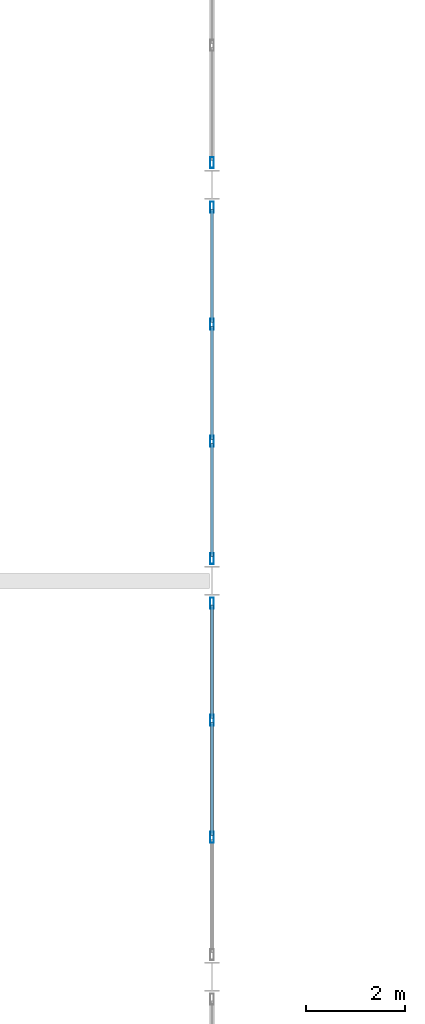
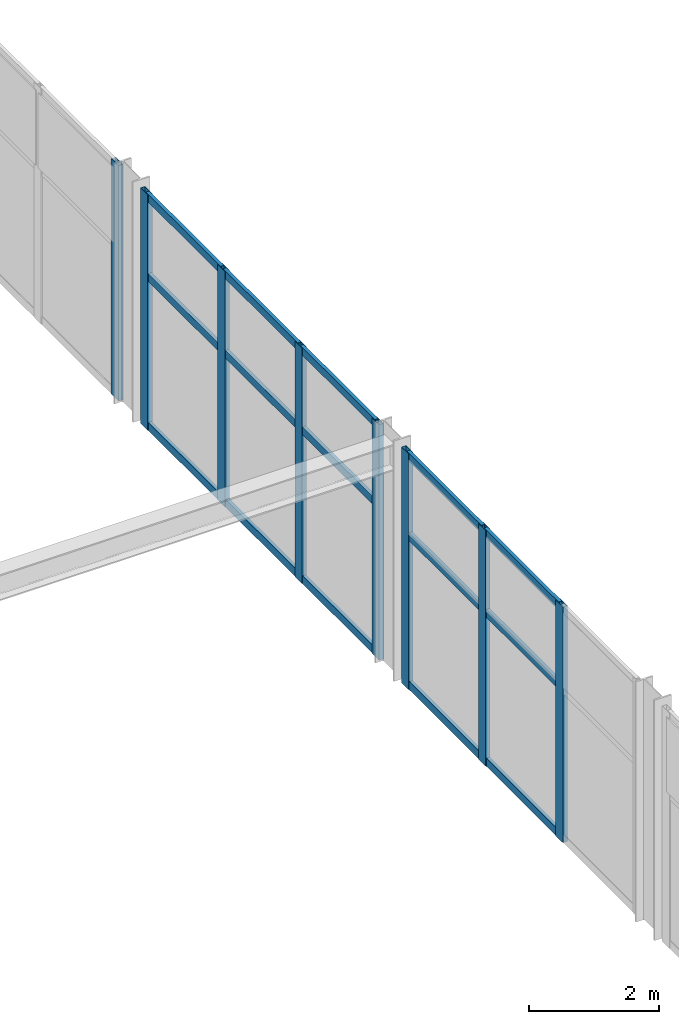
# One storey, part 43 of 105: 23 members, 3 elements without a shape of their own.
"""IFC4 building model written with IfcOpenShell, lengths in metres."""

from ifc_helpers import new_model, si_unit, direction, frame, origin, origin_2d, place, context, subcontext, project, spatial, hollow_rectangle, extrude, material, layer, layer_set, material_profile, profile_set, type_object, element, aggregate, save


model = new_model("IFC4")

# Units and contexts
model_context = context("Model", 3, precision=1e-05, world=origin(), true_north=direction((0.0, 1.0)))
body_context = subcontext(model_context, "Body", "Model", "MODEL_VIEW")
ifc_project = project(units=[si_unit("LENGTHUNIT", "METRE"), si_unit("AREAUNIT", "SQUARE_METRE"), si_unit("VOLUMEUNIT", "CUBIC_METRE"), si_unit("PLANEANGLEUNIT", "RADIAN"), si_unit("MASSUNIT", "GRAM", prefix="KILO")], contexts=[model_context])

# Site, building, storey
site_placement = place(None, origin())
site = spatial("IfcSite", under=ifc_project, at=site_placement, CompositionType="ELEMENT")
building_placement = place(site_placement, origin())
building = spatial("IfcBuilding", under=site, at=building_placement, Name="Marlcrest Central Station", CompositionType="ELEMENT")
storey_placement = place(building_placement, frame((0.0, 0.0, 15.0)))
storey = spatial("IfcBuildingStorey", under=building, at=storey_placement, Name="L03", CompositionType="ELEMENT", Elevation=15.0)

# Curtain wall, members
ifc_material_1 = material(Name="Anodised aluminium and hurricane laminated glass", Category="aluminium")
ifc_layer = layer(ifc_material_1, 0.219970703125, Name="CW-U1")
ifc_layer_set = layer_set([ifc_layer], Name="Anodised aluminium and hurricane laminated glass")
curtain_wall_type = type_object("IfcCurtainWallType", Name="CW-U1", PredefinedType="USERDEFINED", material=ifc_layer_set)
curtain_wall_1_placement = place(storey_placement, origin())
curtain_wall_1 = element("IfcCurtainWall", 1, at=curtain_wall_1_placement, inside=storey, type_object=curtain_wall_type, Name="cw-L03-0122", ObjectType="UNITISED_CURTAIN_WALL", PredefinedType="USERDEFINED")
ifc_material_2 = material(Name="Anodised aluminium 6063-T6", Category="aluminium")
ifc_material_profile_1 = material_profile(ifc_material_2, hollow_rectangle(XDim=0.080078125, YDim=0.219970703125, WallThickness=0.006103515625, at=origin_2d()), Name="AA-RHS 220x80x6")
ifc_profile_set_1 = profile_set([ifc_material_profile_1], Name="Anodised aluminium 6063-T6")
member_type_1 = type_object("IfcMemberType", Name="ML-01", PredefinedType="MULLION", material=ifc_profile_set_1)
member_1_placement = place(storey_placement, frame((129.0, 70.050048828125, -0.030029296875), z_axis=(0.0, 0.0, 1.0), x_axis=(1.0, 0.0, 0.0)))
member_1 = element("IfcMember", 2, at=member_1_placement, type_object=member_type_1, Name="cw-L03-0122-ml-0", PredefinedType="MULLION", context=body_context, shape_type="SweptSolid", body=[
    extrude(hollow_rectangle(XDim=0.080078125, YDim=0.219970703125, WallThickness=0.006103515625, at=origin_2d()), origin(), (0.0, 0.0, 1.0), 4.409912109375),
])
member_2_placement = place(storey_placement, frame((129.0, 67.683349609375, -0.030029296875), z_axis=(0.0, 0.0, 1.0), x_axis=(1.0, 0.0, 0.0)))
member_2 = element("IfcMember", 3, at=member_2_placement, type_object=member_type_1, Name="cw-L03-0122-ml-1", PredefinedType="MULLION", context=body_context, shape_type="SweptSolid", body=[
    extrude(hollow_rectangle(XDim=0.080078125, YDim=0.219970703125, WallThickness=0.006103515625, at=origin_2d()), origin(), (0.0, 0.0, 1.0), 4.409912109375),
])
member_3_placement = place(storey_placement, frame((129.0, 65.316650390625, -0.030029296875), z_axis=(0.0, 0.0, 1.0), x_axis=(1.0, 0.0, 0.0)))
member_3 = element("IfcMember", 4, at=member_3_placement, type_object=member_type_1, Name="cw-L03-0122-ml-2", PredefinedType="MULLION", context=body_context, shape_type="SweptSolid", body=[
    extrude(hollow_rectangle(XDim=0.080078125, YDim=0.219970703125, WallThickness=0.006103515625, at=origin_2d()), origin(), (0.0, 0.0, 1.0), 4.409912109375),
])

curtain_wall_2_placement = place(storey_placement, origin())
curtain_wall_2 = element("IfcCurtainWall", 5, at=curtain_wall_2_placement, inside=storey, type_object=curtain_wall_type, Name="cw-L03-0126", ObjectType="UNITISED_CURTAIN_WALL", PredefinedType="USERDEFINED")
member_4_placement = place(storey_placement, frame((129.0, 78.050048828125, -0.030029296875), z_axis=(0.0, 0.0, 1.0), x_axis=(1.0, 0.0, 0.0)))
member_4 = element("IfcMember", 6, at=member_4_placement, type_object=member_type_1, Name="cw-L03-0126-ml-0", PredefinedType="MULLION", context=body_context, shape_type="SweptSolid", body=[
    extrude(hollow_rectangle(XDim=0.080078125, YDim=0.219970703125, WallThickness=0.006103515625, at=origin_2d()), origin(), (0.0, 0.0, 1.0), 4.409912109375),
])
member_5_placement = place(storey_placement, frame((129.0, 75.683349609375, -0.030029296875), z_axis=(0.0, 0.0, 1.0), x_axis=(1.0, 0.0, 0.0)))
member_5 = element("IfcMember", 7, at=member_5_placement, type_object=member_type_1, Name="cw-L03-0126-ml-1", PredefinedType="MULLION", context=body_context, shape_type="SweptSolid", body=[
    extrude(hollow_rectangle(XDim=0.080078125, YDim=0.219970703125, WallThickness=0.006103515625, at=origin_2d()), origin(), (0.0, 0.0, 1.0), 4.409912109375),
])
member_6_placement = place(storey_placement, frame((129.0, 73.316650390625, -0.030029296875), z_axis=(0.0, 0.0, 1.0), x_axis=(1.0, 0.0, 0.0)))
member_6 = element("IfcMember", 8, at=member_6_placement, type_object=member_type_1, Name="cw-L03-0126-ml-2", PredefinedType="MULLION", context=body_context, shape_type="SweptSolid", body=[
    extrude(hollow_rectangle(XDim=0.080078125, YDim=0.219970703125, WallThickness=0.006103515625, at=origin_2d()), origin(), (0.0, 0.0, 1.0), 4.409912109375),
])
member_7_placement = place(storey_placement, frame((129.0, 70.949951171875, -0.030029296875), z_axis=(0.0, 0.0, 1.0), x_axis=(1.0, 0.0, 0.0)))
member_7 = element("IfcMember", 9, at=member_7_placement, type_object=member_type_1, Name="cw-L03-0126-ml-3", PredefinedType="MULLION", context=body_context, shape_type="SweptSolid", body=[
    extrude(hollow_rectangle(XDim=0.080078125, YDim=0.219970703125, WallThickness=0.006103515625, at=origin_2d()), origin(), (0.0, 0.0, 1.0), 4.409912109375),
])

# Curtain wall, member
curtain_wall_3_placement = place(storey_placement, origin())
curtain_wall_3 = element("IfcCurtainWall", 10, at=curtain_wall_3_placement, inside=storey, type_object=curtain_wall_type, Name="cw-L03-0130", ObjectType="UNITISED_CURTAIN_WALL", PredefinedType="USERDEFINED")
member_8_placement = place(storey_placement, frame((129.0, 78.949951171875, -0.030029296875), z_axis=(0.0, 0.0, 1.0), x_axis=(1.0, 0.0, 0.0)))
member_8 = element("IfcMember", 11, at=member_8_placement, type_object=member_type_1, Name="cw-L03-0130-ml-3", PredefinedType="MULLION", context=body_context, shape_type="SweptSolid", body=[
    extrude(hollow_rectangle(XDim=0.080078125, YDim=0.219970703125, WallThickness=0.006103515625, at=origin_2d()), origin(), (0.0, 0.0, 1.0), 4.409912109375),
])
aggregate(curtain_wall_3, [member_8])

# Member
ifc_material_profile_2 = material_profile(ifc_material_2, hollow_rectangle(XDim=0.06005859375, YDim=0.14990234375, WallThickness=0.00390625, at=origin_2d()), Name="AA-RHS 150x60x4")
ifc_profile_set_2 = profile_set([ifc_material_profile_2], Name="Anodised aluminium 6063-T6")
member_type_2 = type_object("IfcMemberType", Name="TR-01", PredefinedType="USERDEFINED", material=ifc_profile_set_2)
member_9_placement = place(storey_placement, frame((129.0, 70.011962890625, 0.0400390625), z_axis=(0.0, -1.0, 0.0), x_axis=(1.0, 0.0, 0.0)))
member_9 = element("IfcMember", 12, at=member_9_placement, type_object=member_type_2, Name="cw-L03-0122-tr-0-sill", ObjectType="TRANSOM", PredefinedType="USERDEFINED", context=body_context, shape_type="SweptSolid", body=[
    extrude(hollow_rectangle(XDim=0.06005859375, YDim=0.14990234375, WallThickness=0.00390625, at=origin_2d()), origin(), (0.0, 0.0, 1.0), 2.290771484375),
])

member_10_placement = place(storey_placement, frame((129.0, 70.011962890625, 2.827880859375), z_axis=(0.0, -1.0, 0.0), x_axis=(1.0, 0.0, 0.0)))
member_10 = element("IfcMember", 13, at=member_10_placement, type_object=member_type_2, Name="cw-L03-0122-tr-0-mid", ObjectType="TRANSOM", PredefinedType="USERDEFINED", context=body_context, shape_type="SweptSolid", body=[
    extrude(hollow_rectangle(XDim=0.06005859375, YDim=0.14990234375, WallThickness=0.00390625, at=origin_2d()), origin(), (0.0, 0.0, 1.0), 2.290771484375),
])

member_11_placement = place(storey_placement, frame((129.0, 70.011962890625, 4.31005859375), z_axis=(0.0, -1.0, 0.0), x_axis=(1.0, 0.0, 0.0)))
member_11 = element("IfcMember", 14, at=member_11_placement, type_object=member_type_2, Name="cw-L03-0122-tr-0-head", ObjectType="TRANSOM", PredefinedType="USERDEFINED", context=body_context, shape_type="SweptSolid", body=[
    extrude(hollow_rectangle(XDim=0.06005859375, YDim=0.14990234375, WallThickness=0.00390625, at=origin_2d()), origin(), (0.0, 0.0, 1.0), 2.290771484375),
])

member_12_placement = place(storey_placement, frame((129.0, 67.645263671875, 0.0400390625), z_axis=(0.0, -1.0, 0.0), x_axis=(1.0, 0.0, 0.0)))
member_12 = element("IfcMember", 15, at=member_12_placement, type_object=member_type_2, Name="cw-L03-0122-tr-1-sill", ObjectType="TRANSOM", PredefinedType="USERDEFINED", context=body_context, shape_type="SweptSolid", body=[
    extrude(hollow_rectangle(XDim=0.06005859375, YDim=0.14990234375, WallThickness=0.00390625, at=origin_2d()), origin(), (0.0, 0.0, 1.0), 2.29052734375),
])

member_13_placement = place(storey_placement, frame((129.0, 67.645263671875, 2.827880859375), z_axis=(0.0, -1.0, 0.0), x_axis=(1.0, 0.0, 0.0)))
member_13 = element("IfcMember", 16, at=member_13_placement, type_object=member_type_2, Name="cw-L03-0122-tr-1-mid", ObjectType="TRANSOM", PredefinedType="USERDEFINED", context=body_context, shape_type="SweptSolid", body=[
    extrude(hollow_rectangle(XDim=0.06005859375, YDim=0.14990234375, WallThickness=0.00390625, at=origin_2d()), origin(), (0.0, 0.0, 1.0), 2.29052734375),
])

member_14_placement = place(storey_placement, frame((129.0, 67.645263671875, 4.31005859375), z_axis=(0.0, -1.0, 0.0), x_axis=(1.0, 0.0, 0.0)))
member_14 = element("IfcMember", 17, at=member_14_placement, type_object=member_type_2, Name="cw-L03-0122-tr-1-head", ObjectType="TRANSOM", PredefinedType="USERDEFINED", context=body_context, shape_type="SweptSolid", body=[
    extrude(hollow_rectangle(XDim=0.06005859375, YDim=0.14990234375, WallThickness=0.00390625, at=origin_2d()), origin(), (0.0, 0.0, 1.0), 2.29052734375),
])

aggregate(curtain_wall_1, [member_1, member_2, member_3, member_9, member_10, member_11, member_12, member_13, member_14])

member_15_placement = place(storey_placement, frame((129.0, 78.011962890625, 0.0400390625), z_axis=(0.0, -1.0, 0.0), x_axis=(1.0, 0.0, 0.0)))
member_15 = element("IfcMember", 18, at=member_15_placement, type_object=member_type_2, Name="cw-L03-0126-tr-0-sill", ObjectType="TRANSOM", PredefinedType="USERDEFINED", context=body_context, shape_type="SweptSolid", body=[
    extrude(hollow_rectangle(XDim=0.06005859375, YDim=0.14990234375, WallThickness=0.00390625, at=origin_2d()), origin(), (0.0, 0.0, 1.0), 2.290771484375),
])

member_16_placement = place(storey_placement, frame((129.0, 78.011962890625, 2.827880859375), z_axis=(0.0, -1.0, 0.0), x_axis=(1.0, 0.0, 0.0)))
member_16 = element("IfcMember", 19, at=member_16_placement, type_object=member_type_2, Name="cw-L03-0126-tr-0-mid", ObjectType="TRANSOM", PredefinedType="USERDEFINED", context=body_context, shape_type="SweptSolid", body=[
    extrude(hollow_rectangle(XDim=0.06005859375, YDim=0.14990234375, WallThickness=0.00390625, at=origin_2d()), origin(), (0.0, 0.0, 1.0), 2.290771484375),
])

member_17_placement = place(storey_placement, frame((129.0, 78.011962890625, 4.31005859375), z_axis=(0.0, -1.0, 0.0), x_axis=(1.0, 0.0, 0.0)))
member_17 = element("IfcMember", 20, at=member_17_placement, type_object=member_type_2, Name="cw-L03-0126-tr-0-head", ObjectType="TRANSOM", PredefinedType="USERDEFINED", context=body_context, shape_type="SweptSolid", body=[
    extrude(hollow_rectangle(XDim=0.06005859375, YDim=0.14990234375, WallThickness=0.00390625, at=origin_2d()), origin(), (0.0, 0.0, 1.0), 2.290771484375),
])

member_18_placement = place(storey_placement, frame((129.0, 75.645263671875, 0.0400390625), z_axis=(0.0, -1.0, 0.0), x_axis=(1.0, 0.0, 0.0)))
member_18 = element("IfcMember", 21, at=member_18_placement, type_object=member_type_2, Name="cw-L03-0126-tr-1-sill", ObjectType="TRANSOM", PredefinedType="USERDEFINED", context=body_context, shape_type="SweptSolid", body=[
    extrude(hollow_rectangle(XDim=0.06005859375, YDim=0.14990234375, WallThickness=0.00390625, at=origin_2d()), origin(), (0.0, 0.0, 1.0), 2.29052734375),
])

member_19_placement = place(storey_placement, frame((129.0, 75.645263671875, 2.827880859375), z_axis=(0.0, -1.0, 0.0), x_axis=(1.0, 0.0, 0.0)))
member_19 = element("IfcMember", 22, at=member_19_placement, type_object=member_type_2, Name="cw-L03-0126-tr-1-mid", ObjectType="TRANSOM", PredefinedType="USERDEFINED", context=body_context, shape_type="SweptSolid", body=[
    extrude(hollow_rectangle(XDim=0.06005859375, YDim=0.14990234375, WallThickness=0.00390625, at=origin_2d()), origin(), (0.0, 0.0, 1.0), 2.29052734375),
])

member_20_placement = place(storey_placement, frame((129.0, 75.645263671875, 4.31005859375), z_axis=(0.0, -1.0, 0.0), x_axis=(1.0, 0.0, 0.0)))
member_20 = element("IfcMember", 23, at=member_20_placement, type_object=member_type_2, Name="cw-L03-0126-tr-1-head", ObjectType="TRANSOM", PredefinedType="USERDEFINED", context=body_context, shape_type="SweptSolid", body=[
    extrude(hollow_rectangle(XDim=0.06005859375, YDim=0.14990234375, WallThickness=0.00390625, at=origin_2d()), origin(), (0.0, 0.0, 1.0), 2.29052734375),
])

member_21_placement = place(storey_placement, frame((129.0, 73.27880859375, 0.0400390625), z_axis=(0.0, -1.0, 0.0), x_axis=(1.0, 0.0, 0.0)))
member_21 = element("IfcMember", 24, at=member_21_placement, type_object=member_type_2, Name="cw-L03-0126-tr-2-sill", ObjectType="TRANSOM", PredefinedType="USERDEFINED", context=body_context, shape_type="SweptSolid", body=[
    extrude(hollow_rectangle(XDim=0.06005859375, YDim=0.14990234375, WallThickness=0.00390625, at=origin_2d()), origin(), (0.0, 0.0, 1.0), 2.290771484375),
])

member_22_placement = place(storey_placement, frame((129.0, 73.27880859375, 2.827880859375), z_axis=(0.0, -1.0, 0.0), x_axis=(1.0, 0.0, 0.0)))
member_22 = element("IfcMember", 25, at=member_22_placement, type_object=member_type_2, Name="cw-L03-0126-tr-2-mid", ObjectType="TRANSOM", PredefinedType="USERDEFINED", context=body_context, shape_type="SweptSolid", body=[
    extrude(hollow_rectangle(XDim=0.06005859375, YDim=0.14990234375, WallThickness=0.00390625, at=origin_2d()), origin(), (0.0, 0.0, 1.0), 2.290771484375),
])

member_23_placement = place(storey_placement, frame((129.0, 73.27880859375, 4.31005859375), z_axis=(0.0, -1.0, 0.0), x_axis=(1.0, 0.0, 0.0)))
member_23 = element("IfcMember", 26, at=member_23_placement, type_object=member_type_2, Name="cw-L03-0126-tr-2-head", ObjectType="TRANSOM", PredefinedType="USERDEFINED", context=body_context, shape_type="SweptSolid", body=[
    extrude(hollow_rectangle(XDim=0.06005859375, YDim=0.14990234375, WallThickness=0.00390625, at=origin_2d()), origin(), (0.0, 0.0, 1.0), 2.290771484375),
])

aggregate(curtain_wall_2, [member_4, member_5, member_6, member_7, member_15, member_16, member_17, member_18, member_19, member_20, member_21, member_22, member_23])

save(model, "model.ifc")
